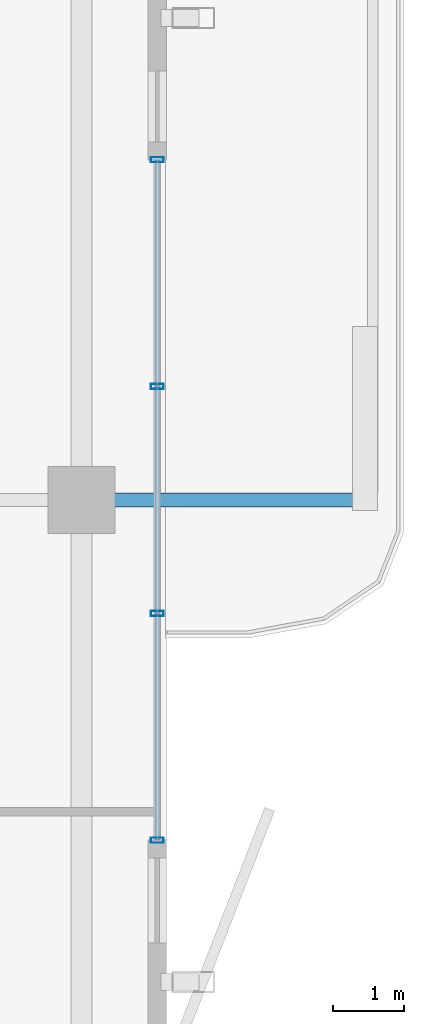
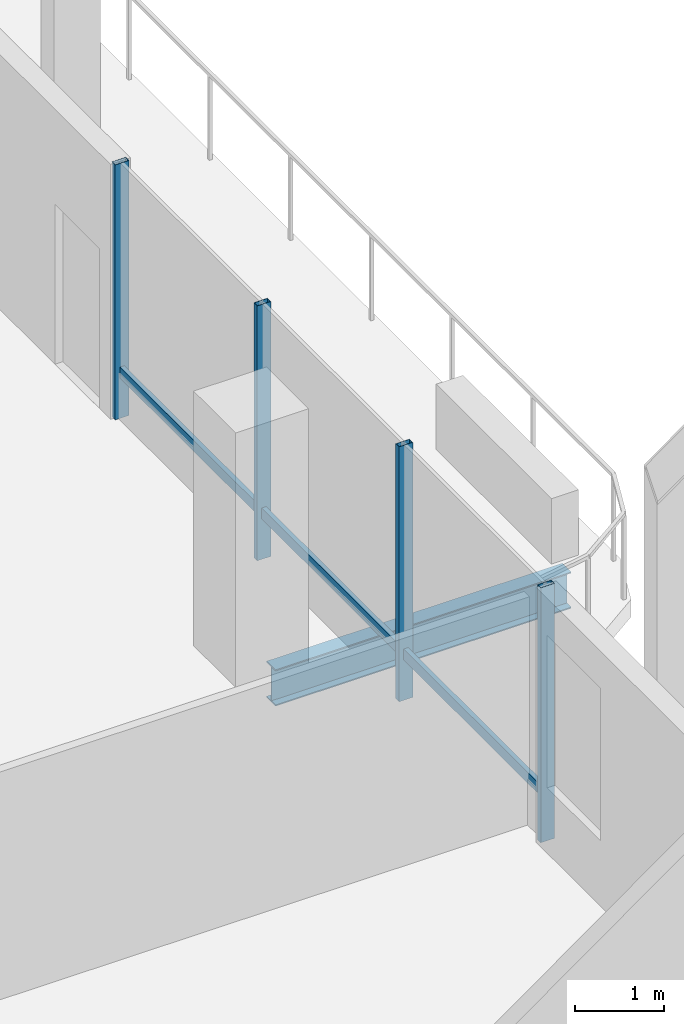
# One storey, part 9 of 20: 7 members, 1 beam, 1 element without a shape of its own.
"""IFC4 building model written with IfcOpenShell, lengths in metres."""

import ifcopenshell
import ifcopenshell.guid

model = None  # the IFC model being written
_history = None  # IfcOwnerHistory: only IFC2X3 demands one
_inside = {}  # id of a spatial element -> (the spatial element, [elements in it])
_under = {}  # id of a project, library or spatial element -> (it, [spatial elements below it])
_declared = {}  # id of a project -> (the project, [libraries it declares])
_typed = {}  # id of a type object -> (the type object, [elements of that type])
_made_of = {}  # id of a material, layer set ... -> (it, [elements and type objects made of it])


def new_model(schema):
    """Start an empty IFC model of exactly this schema.

    Asked for "IFC4X3", IfcOpenShell would pick the latest addendum, in which some entities
    have other attributes; the version numbers below select the first issue.
    IFC2X3 requires an IfcOwnerHistory on every rooted entity: one is made here for all.
    """
    global model, _history
    if schema == "IFC4X3":
        model = ifcopenshell.file(schema_version=(4, 3, 0, 0))
    else:
        model = ifcopenshell.file(schema=schema)
    _inside.clear()
    _under.clear()
    _declared.clear()
    _typed.clear()
    _made_of.clear()
    _history = None
    if model.schema == "IFC2X3":
        org = make("IfcOrganization", Name="unknown")
        user = make(
            "IfcPersonAndOrganization",
            ThePerson=make("IfcPerson", FamilyName="unknown"),
            TheOrganization=org,
        )
        app = make(
            "IfcApplication",
            ApplicationDeveloper=org,
            Version="unknown",
            ApplicationFullName="unknown",
            ApplicationIdentifier="unknown",
        )
        _history = make(
            "IfcOwnerHistory",
            OwningUser=user,
            OwningApplication=app,
            ChangeAction="ADDED",
            CreationDate=0,
        )
    return model


def make(cls, **values):
    """One entity of the class cls with the attributes given. An attribute that is None is left unset."""
    return model.create_entity(
        cls, **{name: value for name, value in values.items() if value is not None}
    )


def rooted(cls, **values):
    """An entity with a GlobalId (a new one), such as an element, a storey or a relation."""
    return make(cls, GlobalId=ifcopenshell.guid.new(), OwnerHistory=_history, **values)


def si_unit(unit_type, name, prefix=None):
    """IfcSIUnit, for example si_unit("LENGTHUNIT", "METRE", prefix="MILLI")."""
    return make("IfcSIUnit", UnitType=unit_type, Prefix=prefix, Name=name)


def assignment(units):
    """IfcUnitAssignment: the units of a project."""
    return None if units is None else make("IfcUnitAssignment", Units=units)


def point(xyz):
    """IfcCartesianPoint."""
    return None if xyz is None else make("IfcCartesianPoint", Coordinates=xyz)


def direction(xyz):
    """IfcDirection."""
    return None if xyz is None else make("IfcDirection", DirectionRatios=xyz)


def frame(location, z_axis=None, x_axis=None):
    """IfcAxis2Placement3D, a coordinate frame: its origin and axes. An axis left out is left unset."""
    return make(
        "IfcAxis2Placement3D",
        Location=point(location),
        Axis=direction(z_axis),
        RefDirection=direction(x_axis),
    )


def frame_2d(location, x_axis=None):
    """IfcAxis2Placement2D, a coordinate frame in the plane: its origin and x axis."""
    return make(
        "IfcAxis2Placement2D", Location=point(location), RefDirection=direction(x_axis)
    )


def origin():
    """The frame at (0, 0, 0) with its axes left unset."""
    return frame((0.0, 0.0, 0.0))


def origin_2d():
    """The frame at (0, 0) in the plane with its x axis left unset."""
    return frame_2d((0.0, 0.0))


def place(relative_to, where):
    """IfcLocalPlacement: puts the frame where relative to a parent placement (None: the world)."""
    return make(
        "IfcLocalPlacement", PlacementRelTo=relative_to, RelativePlacement=where
    )


def context(
    kind, dimensions, precision=None, world=None, true_north=None, identifier=None
):
    """IfcGeometricRepresentationContext, for example the 3D "Model" context."""
    return make(
        "IfcGeometricRepresentationContext",
        ContextIdentifier=identifier,
        ContextType=kind,
        CoordinateSpaceDimension=dimensions,
        Precision=precision,
        WorldCoordinateSystem=world,
        TrueNorth=true_north,
    )


def subcontext(parent, identifier, kind, view, scale=None):
    """IfcGeometricRepresentationSubContext, for example "Body" below "Model"."""
    return make(
        "IfcGeometricRepresentationSubContext",
        ContextIdentifier=identifier,
        ContextType=kind,
        ParentContext=parent,
        TargetScale=scale,
        TargetView=view,
    )


def project(units=None, contexts=None):
    """IfcProject with its units and contexts."""
    return rooted(
        "IfcProject",
        Name="project",
        RepresentationContexts=contexts,
        UnitsInContext=assignment(units),
    )


def spatial(cls, under=None, at=None, **own):
    """A site, building, storey or space (cls), placed at a placement, below another one or the project."""
    s = rooted(cls, ObjectPlacement=at, **own)
    if under is not None:
        _under.setdefault(under.id(), (under, []))[1].append(s)
    return s


def profile(cls, at=None, kind="AREA", **sizes):
    """A parametric profile (cls). Its sizes go by their IFC names, for example OverallWidth=200.0."""
    return make(cls, ProfileType=kind, Position=at, **sizes)


def hollow_rectangle(**sizes):
    """IfcRectangleHollowProfileDef."""
    return profile("IfcRectangleHollowProfileDef", **sizes)


def i_section(**sizes):
    """IfcIShapeProfileDef."""
    return profile("IfcIShapeProfileDef", **sizes)


def extrude(swept, where, along, depth):
    """IfcExtrudedAreaSolid: the profile swept, set in the frame where, extruded along a direction by depth."""
    return make(
        "IfcExtrudedAreaSolid",
        SweptArea=swept,
        Position=where,
        ExtrudedDirection=direction(along),
        Depth=depth,
    )


def shape(context_of_items, identifier, shape_type, items):
    """IfcShapeRepresentation: the items that make up one representation, for example the "Body"."""
    return make(
        "IfcShapeRepresentation",
        ContextOfItems=context_of_items,
        RepresentationIdentifier=identifier,
        RepresentationType=shape_type,
        Items=items,
    )


def material(Name=None, Category=None):
    """IfcMaterial."""
    return make("IfcMaterial", Name=Name, Category=Category)


def layer(
    of_material, thickness, ventilated=None, Name=None, Category=None, Priority=None
):
    """IfcMaterialLayer: one layer of a wall or slab, of a material (None: an air gap)."""
    return make(
        "IfcMaterialLayer",
        Material=of_material,
        LayerThickness=thickness,
        IsVentilated=ventilated,
        Name=Name,
        Category=Category,
        Priority=Priority,
    )


def layer_set(layers, Name=None):
    """IfcMaterialLayerSet."""
    return make("IfcMaterialLayerSet", MaterialLayers=layers, LayerSetName=Name)


def material_profile(
    of_material, cross_section, Name=None, Category=None, Priority=None
):
    """IfcMaterialProfile: a cross section and its material."""
    return make(
        "IfcMaterialProfile",
        Name=Name,
        Material=of_material,
        Profile=cross_section,
        Priority=Priority,
        Category=Category,
    )


def profile_set(profiles, Name=None, composite=None):
    """IfcMaterialProfileSet."""
    return make(
        "IfcMaterialProfileSet",
        Name=Name,
        MaterialProfiles=profiles,
        CompositeProfile=composite,
    )


def made_of(thing, what):
    """Note that an element or type object is made of a material, layer set ...; save() writes the relation."""
    if what is not None:
        _made_of.setdefault(what.id(), (what, []))[1].append(thing)
    return thing


def type_object(cls, material=None, **own):
    """A type object (cls), such as IfcWallType, which elements share."""
    return made_of(rooted(cls, **own), material)


def element(
    cls,
    number,
    at=None,
    inside=None,
    cuts=None,
    type_object=None,
    material=None,
    context=None,
    identifier="Body",
    shape_type=None,
    held_by="IfcProductDefinitionShape",
    body=None,
    shapes=None,
    **own,
):
    """One element of the class cls, such as IfcWall. Its Tag is "e" and its number.

    at: its placement. inside: the storey or other place that contains it. cuts: it is an
    opening in that element (IfcRelVoidsElement). A single representation is given by context,
    identifier, shape_type and body (its items); several are given by shapes. held_by: the class
    of the entity that holds the representations. save() writes the other relations.
    """
    e = rooted(cls, Tag="e%d" % number, ObjectPlacement=at, **own)
    if body is not None:
        shapes = [shape(context, identifier, shape_type, body)]
    if shapes is not None:
        e.Representation = make(held_by, Representations=shapes)
    if inside is not None:
        _inside.setdefault(inside.id(), (inside, []))[1].append(e)
    if cuts is not None:
        rooted(
            "IfcRelVoidsElement", RelatingBuildingElement=cuts, RelatedOpeningElement=e
        )
    if type_object is not None:
        _typed.setdefault(type_object.id(), (type_object, []))[1].append(e)
    return made_of(e, material)


def aggregate(whole, parts):
    """IfcRelAggregates: a whole, such as a stair, and the parts it consists of."""
    return rooted("IfcRelAggregates", RelatingObject=whole, RelatedObjects=parts)


def save(model, path):
    """Write the relations noted so far, then the file.

    IfcRelAggregates (storeys below a building ...), IfcRelContainedInSpatialStructure (elements
    in a storey), IfcRelDefinesByType, IfcRelAssociatesMaterial and IfcRelDeclares: one each for
    every whole, place, type object, material and project.
    """
    for whole, parts in _under.values():
        aggregate(whole, parts)
    for where, things in _inside.values():
        rooted(
            "IfcRelContainedInSpatialStructure",
            RelatedElements=things,
            RelatingStructure=where,
        )
    for kind, things in _typed.values():
        rooted("IfcRelDefinesByType", RelatedObjects=things, RelatingType=kind)
    for what, things in _made_of.values():
        rooted("IfcRelAssociatesMaterial", RelatedObjects=things, RelatingMaterial=what)
    for by, libraries in _declared.values():
        rooted("IfcRelDeclares", RelatingContext=by, RelatedDefinitions=libraries)
    model.write(path)


model = new_model("IFC4")

# Units and contexts
model_context = context("Model", 3, precision=1e-05, world=origin(), true_north=direction((0.0, 1.0)))
body_context = subcontext(model_context, "Body", "Model", "MODEL_VIEW")
ifc_project = project(units=[si_unit("LENGTHUNIT", "METRE"), si_unit("AREAUNIT", "SQUARE_METRE"), si_unit("VOLUMEUNIT", "CUBIC_METRE"), si_unit("PLANEANGLEUNIT", "RADIAN"), si_unit("MASSUNIT", "GRAM", prefix="KILO")], contexts=[model_context])

# Site, building, storey
site_placement = place(None, origin())
site = spatial("IfcSite", under=ifc_project, at=site_placement, CompositionType="ELEMENT")
building_placement = place(site_placement, origin())
building = spatial("IfcBuilding", under=site, at=building_placement, Name="Belovzor Exchange Tower", CompositionType="ELEMENT")
storey_placement = place(building_placement, frame((0.0, 0.0, 299.25)))
storey = spatial("IfcBuildingStorey", under=building, at=storey_placement, Name="L74", CompositionType="ELEMENT", Elevation=299.25)

# Beam
ifc_material_1 = material(Name="Steel S355", Category="steel")
ifc_material_profile_1 = material_profile(ifc_material_1, i_section(OverallWidth=0.199951171875, OverallDepth=0.5, WebThickness=0.01025390625, FlangeThickness=0.01611328125, at=origin_2d()))
ifc_profile_set_1 = profile_set([ifc_material_profile_1], Name="Steel S355")
beam_type = type_object("IfcBeamType", Name="Planted Balcony Cantilever Beam IPE 500", PredefinedType="BEAM", material=ifc_profile_set_1)
beam_placement = place(storey_placement, frame((50.660888671875, 28.800048828125, -0.489990234375), z_axis=(1.0, 0.0, 0.0), x_axis=(0.0, 1.0, 0.0)))
element("IfcBeam", 1, at=beam_placement, inside=storey, type_object=beam_type, Name="BC-500 Planted Balcony Cantilever Beam IPE 500", PredefinedType="BEAM", context=body_context, shape_type="SweptSolid", body=[
    extrude(i_section(OverallWidth=0.199951171875, OverallDepth=0.5, WebThickness=0.01025390625, FlangeThickness=0.01611328125, at=origin_2d()), origin(), (0.0, 0.0, 1.0), 3.85009765625),
])

# Curtain wall, members
ifc_material_2 = material(Name="Anodised Aluminium Framing", Category="aluminium")
ifc_layer = layer(ifc_material_2, 0.179931640625)
ifc_layer_set = layer_set([ifc_layer], Name="Anodised Aluminium Framing")
curtain_wall_type = type_object("IfcCurtainWallType", Name="Recessed Loggia Low-Iron Triple-Glazed Curtain Wall", PredefinedType="NOTDEFINED", material=ifc_layer_set)
curtain_wall_placement = place(storey_placement, origin())
curtain_wall = element("IfcCurtainWall", 2, at=curtain_wall_placement, inside=storey, type_object=curtain_wall_type, Name="CW3 Recessed Loggia Low-Iron Triple-Glazed Curtain Wall L74", PredefinedType="NOTDEFINED")
ifc_material_3 = material(Name="Steel S355", Category="steel")
ifc_material_profile_2 = material_profile(ifc_material_3, hollow_rectangle(XDim=0.074951171875, YDim=0.179931640625, WallThickness=0.0048828125, at=origin_2d()))
ifc_profile_set_2 = profile_set([ifc_material_profile_2], Name="Steel S355")
member_type_1 = type_object("IfcMemberType", Name="Thermally Broken Curtain Wall Mullion 180x75", PredefinedType="MULLION", material=ifc_profile_set_2)
member_1_placement = place(storey_placement, frame((51.469970703125, 33.60009765625, 0.0), z_axis=(0.0, 0.0, 1.0), x_axis=(0.0, -1.0, 0.0)))
member_1 = element("IfcMember", 3, at=member_1_placement, type_object=member_type_1, Name="CW-M180 Curtain Wall Mullion 1", PredefinedType="MULLION", context=body_context, shape_type="SweptSolid", body=[
    extrude(hollow_rectangle(XDim=0.074951171875, YDim=0.179931640625, WallThickness=0.0048828125, at=origin_2d()), origin(), (0.0, 0.0, 1.0), 3.510009765625),
])
member_2_placement = place(storey_placement, frame((51.469970703125, 30.39990234375, 0.0), z_axis=(0.0, 0.0, 1.0), x_axis=(0.0, -1.0, 0.0)))
member_2 = element("IfcMember", 4, at=member_2_placement, type_object=member_type_1, Name="CW-M180 Curtain Wall Mullion 2", PredefinedType="MULLION", context=body_context, shape_type="SweptSolid", body=[
    extrude(hollow_rectangle(XDim=0.074951171875, YDim=0.179931640625, WallThickness=0.0048828125, at=origin_2d()), origin(), (0.0, 0.0, 1.0), 3.510009765625),
])
member_3_placement = place(storey_placement, frame((51.469970703125, 27.199951171875, 0.0), z_axis=(0.0, 0.0, 1.0), x_axis=(0.0, -1.0, 0.0)))
member_3 = element("IfcMember", 5, at=member_3_placement, type_object=member_type_1, Name="CW-M180 Curtain Wall Mullion 3", PredefinedType="MULLION", context=body_context, shape_type="SweptSolid", body=[
    extrude(hollow_rectangle(XDim=0.074951171875, YDim=0.179931640625, WallThickness=0.0048828125, at=origin_2d()), origin(), (0.0, 0.0, 1.0), 3.510009765625),
])
member_4_placement = place(storey_placement, frame((51.469970703125, 24.0, 0.0), z_axis=(0.0, 0.0, 1.0), x_axis=(0.0, -1.0, 0.0)))
member_4 = element("IfcMember", 6, at=member_4_placement, type_object=member_type_1, Name="CW-M180 Curtain Wall Mullion 4", PredefinedType="MULLION", context=body_context, shape_type="SweptSolid", body=[
    extrude(hollow_rectangle(XDim=0.074951171875, YDim=0.179931640625, WallThickness=0.0048828125, at=origin_2d()), origin(), (0.0, 0.0, 1.0), 3.510009765625),
])
ifc_material_4 = material(Name="Steel S355", Category="steel")
ifc_material_profile_3 = material_profile(ifc_material_4, hollow_rectangle(XDim=0.06005859375, YDim=0.14990234375, WallThickness=0.00390625, at=origin_2d()))
ifc_profile_set_3 = profile_set([ifc_material_profile_3], Name="Steel S355")
member_type_2 = type_object("IfcMemberType", Name="Thermally Broken Curtain Wall Transom 150x60", PredefinedType="USERDEFINED", material=ifc_profile_set_3)
member_5_placement = place(storey_placement, frame((51.469970703125, 33.592041015625, 0.632080078125), z_axis=(0.0, -1.0, 0.0), x_axis=(1.0, 0.0, 0.0)))
member_5 = element("IfcMember", 7, at=member_5_placement, type_object=member_type_2, Name="CW-T150 Curtain Wall Transom 1", ObjectType="TRANSOM", PredefinedType="USERDEFINED", context=body_context, shape_type="SweptSolid", body=[
    extrude(hollow_rectangle(XDim=0.06005859375, YDim=0.14990234375, WallThickness=0.00390625, at=origin_2d()), origin(), (0.0, 0.0, 1.0), 3.18408203125),
])
member_6_placement = place(storey_placement, frame((51.469970703125, 30.39208984375, 0.632080078125), z_axis=(0.0, -1.0, 0.0), x_axis=(1.0, 0.0, 0.0)))
member_6 = element("IfcMember", 8, at=member_6_placement, type_object=member_type_2, Name="CW-T150 Curtain Wall Transom 2", ObjectType="TRANSOM", PredefinedType="USERDEFINED", context=body_context, shape_type="SweptSolid", body=[
    extrude(hollow_rectangle(XDim=0.06005859375, YDim=0.14990234375, WallThickness=0.00390625, at=origin_2d()), origin(), (0.0, 0.0, 1.0), 3.18408203125),
])
member_7_placement = place(storey_placement, frame((51.469970703125, 27.19189453125, 0.632080078125), z_axis=(0.0, -1.0, 0.0), x_axis=(1.0, 0.0, 0.0)))
member_7 = element("IfcMember", 9, at=member_7_placement, type_object=member_type_2, Name="CW-T150 Curtain Wall Transom 3", ObjectType="TRANSOM", PredefinedType="USERDEFINED", context=body_context, shape_type="SweptSolid", body=[
    extrude(hollow_rectangle(XDim=0.06005859375, YDim=0.14990234375, WallThickness=0.00390625, at=origin_2d()), origin(), (0.0, 0.0, 1.0), 3.183837890625),
])
aggregate(curtain_wall, [member_1, member_2, member_3, member_4, member_5, member_6, member_7])

save(model, "model.ifc")
